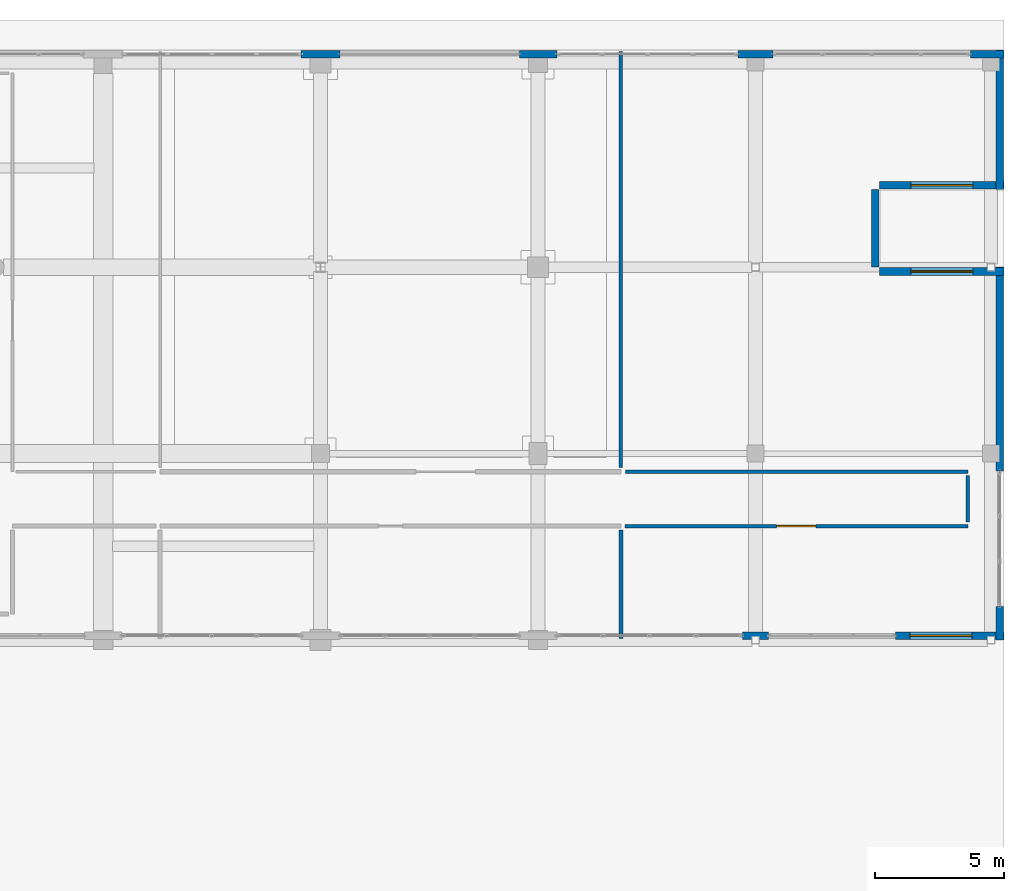
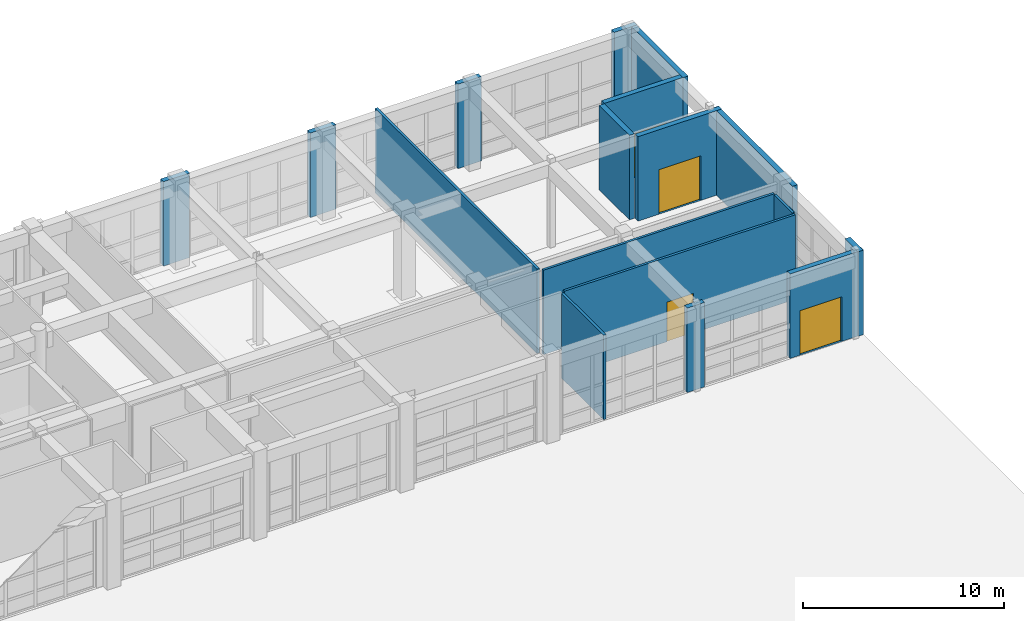
# One storey, part 135 of 148: 17 walls, 4 doors, 4 openings.
"""IFC4 building model written with IfcOpenShell, lengths in metres."""

from ifc_helpers import new_model, si_unit, direction, frame, frame_2d, origin, place, context, subcontext, project, spatial, rectangle, extrude, material, layer, layer_set, type_object, element, fill, save


model = new_model("IFC4")

# Units and contexts
model_context = context("Model", 3, precision=1e-05, world=origin(), true_north=direction((0.0, 1.0)))
body_context = subcontext(model_context, "Body", "Model", "MODEL_VIEW")
ifc_project = project(units=[si_unit("LENGTHUNIT", "METRE"), si_unit("AREAUNIT", "SQUARE_METRE"), si_unit("VOLUMEUNIT", "CUBIC_METRE"), si_unit("PLANEANGLEUNIT", "RADIAN"), si_unit("MASSUNIT", "GRAM", prefix="KILO")], contexts=[model_context])

# Site, building, storey
site_placement = place(None, origin())
site = spatial("IfcSite", under=ifc_project, at=site_placement, CompositionType="ELEMENT")
building_placement = place(site_placement, origin())
building = spatial("IfcBuilding", under=site, at=building_placement, Name="Quendrovan Civic Courthouse", CompositionType="ELEMENT")
storey_placement = place(building_placement, origin())
storey = spatial("IfcBuildingStorey", under=building, at=storey_placement, Name="L01", CompositionType="ELEMENT", Elevation=0.0)

# Wall
ifc_material_1 = material(Name="Acoustic gypsum stud partition")
ifc_layer_1 = layer(ifc_material_1, 0.139892578125, Name="Acoustic gypsum stud partition")
ifc_layer_set_1 = layer_set([ifc_layer_1], Name="Acoustic gypsum stud partition")
wall_type_1 = type_object("IfcWallType", Name="WL-CHM-140", PredefinedType="PARTITIONING", material=ifc_layer_set_1)
wall_1_placement = place(storey_placement, frame((146.0, 94.27001953125, 0.0), z_axis=(0.0, 0.0, 1.0), x_axis=(0.0, 1.0, 0.0)))
element("IfcWall", 1, at=wall_1_placement, inside=storey, type_object=wall_type_1, Name="L01 Robing Hall Partition 0175", PredefinedType="PARTITIONING", context=body_context, shape_type="SweptSolid", body=[
    extrude(rectangle(XDim=16.070068359375, YDim=0.139892578125, at=frame_2d((8.03515625, 0.0))), origin(), (0.0, 0.0, 1.0), 5.1201171875),
])

# Wall, opening, door
wall_2_placement = place(storey_placement, frame((146.155029296875, 92.0, 0.0), z_axis=(0.0, 0.0, 1.0), x_axis=(1.0, 0.0, 0.0)))
wall_2 = element("IfcWall", 2, at=wall_2_placement, inside=storey, type_object=wall_type_1, Name="L01 Robing Hall Partition 0186", PredefinedType="PARTITIONING", context=body_context, shape_type="SweptSolid", body=[
    extrude(rectangle(XDim=13.244873046875, YDim=0.139892578125, at=frame_2d((6.62255859375, 0.0))), origin(), (0.0, 0.0, 1.0), 5.1201171875),
])
opening_1_placement = place(wall_2_placement, frame((5.862548828125, 0.0, 0.0)))
opening_1 = element("IfcOpeningElement", 3, at=opening_1_placement, cuts=wall_2, Name="Opening D-L01-037", PredefinedType="OPENING", context=body_context, shape_type="SweptSolid", body=[
    extrude(rectangle(XDim=1.52001953125, YDim=2.39990234375, at=frame_2d((0.760009765625, 1.199951171875))), frame((0.0, 0.080078125, 0.0), z_axis=(0.0, -1.0, 0.0), x_axis=(1.0, 0.0, 0.0)), (0.0, 0.0, 1.0), 0.159912109375),
])
ifc_material_2 = material(Name="Acoustic timber double-leaf door", Category="wood")
door_type_1 = type_object("IfcDoorType", Name="DR-CONF-1520", OperationType="NOTDEFINED", PredefinedType="DOOR", material=ifc_material_2)
door_1_placement = place(opening_1_placement, origin())
door_1 = element("IfcDoor", 4, at=door_1_placement, inside=storey, type_object=door_type_1, Name="L01 Robing Hall Door D-L01-037", OperationType="SINGLE_SWING_RIGHT", OverallHeight=2.39990234375, OverallWidth=1.52001953125, PredefinedType="DOOR", context=body_context, shape_type="SweptSolid", body=[
    extrude(rectangle(XDim=1.52001953125, YDim=2.39990234375, at=frame_2d((0.760009765625, 1.199951171875))), frame((0.0, 0.02490234375, 0.0), z_axis=(0.0, -1.0, 0.0), x_axis=(1.0, 0.0, 0.0)), (0.0, 0.0, 1.0), 0.050048828125),
])
fill(opening_1, door_1)

# Walls
wall_3_placement = place(storey_placement, frame((159.39990234375, 94.10009765625, 0.0), z_axis=(0.0, 0.0, 1.0), x_axis=(-1.0, 0.0, 0.0)))
element("IfcWall", 5, at=wall_3_placement, inside=storey, type_object=wall_type_1, Name="L01 Robing Hall Partition 0187", PredefinedType="PARTITIONING", context=body_context, shape_type="SweptSolid", body=[
    extrude(rectangle(XDim=13.22998046875, YDim=0.139892578125, at=frame_2d((6.614990234375, 0.0))), origin(), (0.0, 0.0, 1.0), 5.1201171875),
])
wall_4_placement = place(storey_placement, frame((159.39990234375, 92.14990234375, 0.0), z_axis=(0.0, 0.0, 1.0), x_axis=(0.0, 1.0, 0.0)))
element("IfcWall", 6, at=wall_4_placement, inside=storey, type_object=wall_type_1, Name="L01 Robing Hall Partition 0275", PredefinedType="PARTITIONING", context=body_context, shape_type="SweptSolid", body=[
    extrude(rectangle(XDim=1.800048828125, YDim=0.139892578125, at=frame_2d((0.89990234375, 0.0))), origin(), (0.0, 0.0, 1.0), 5.1201171875),
])
ifc_material_3 = material(Name="Precast concrete C45/55", Category="concrete")
ifc_layer_2 = layer(ifc_material_3, 0.2900390625, Name="Precast concrete C45/55")
ifc_layer_set_2 = layer_set([ifc_layer_2], Name="Precast concrete C45/55")
wall_type_2 = type_object("IfcWallType", Name="WL-EXT-PC290", PredefinedType="SOLIDWALL", material=ifc_layer_set_2)
wall_5_placement = place(storey_placement, frame((133.64990234375, 110.235107421875, 0.0), z_axis=(0.0, 0.0, 1.0), x_axis=(1.0, 0.0, 0.0)))
element("IfcWall", 7, at=wall_5_placement, inside=storey, type_object=wall_type_2, Name="L01 Exterior Pier Wall 117", PredefinedType="SOLIDWALL", context=body_context, shape_type="SweptSolid", body=[
    extrude(rectangle(XDim=1.5, YDim=0.2900390625, at=frame_2d((0.75, 0.0))), origin(), (0.0, 0.0, 1.0), 5.1201171875),
])
wall_6_placement = place(storey_placement, frame((142.074951171875, 110.235107421875, 0.0), z_axis=(0.0, 0.0, 1.0), x_axis=(1.0, 0.0, 0.0)))
element("IfcWall", 8, at=wall_6_placement, inside=storey, type_object=wall_type_2, Name="L01 Exterior Pier Wall 118", PredefinedType="SOLIDWALL", context=body_context, shape_type="SweptSolid", body=[
    extrude(rectangle(XDim=1.449951171875, YDim=0.2900390625, at=frame_2d((0.72509765625, 0.0))), origin(), (0.0, 0.0, 1.0), 5.1201171875),
])
wall_7_placement = place(storey_placement, frame((150.52490234375, 110.235107421875, 0.0), z_axis=(0.0, 0.0, 1.0), x_axis=(1.0, 0.0, 0.0)))
element("IfcWall", 9, at=wall_7_placement, inside=storey, type_object=wall_type_2, Name="L01 Exterior Pier Wall 119", PredefinedType="SOLIDWALL", context=body_context, shape_type="SweptSolid", body=[
    extrude(rectangle(XDim=1.35009765625, YDim=0.2900390625, at=frame_2d((0.675048828125, 0.0))), origin(), (0.0, 0.0, 1.0), 5.1201171875),
])
wall_8_placement = place(storey_placement, frame((159.5, 110.235107421875, 0.0), z_axis=(0.0, 0.0, 1.0), x_axis=(1.0, 0.0, 0.0)))
element("IfcWall", 10, at=wall_8_placement, inside=storey, type_object=wall_type_2, Name="L01 Exterior Pier Wall 120", PredefinedType="SOLIDWALL", context=body_context, shape_type="SweptSolid", body=[
    extrude(rectangle(XDim=1.300048828125, YDim=0.2900390625, at=frame_2d((0.64990234375, 0.0))), origin(), (0.0, 0.0, 1.0), 5.1201171875),
])
wall_9_placement = place(storey_placement, frame((160.635009765625, 110.39990234375, 0.0), z_axis=(0.0, 0.0, 1.0), x_axis=(0.0, -1.0, 0.0)))
element("IfcWall", 11, at=wall_9_placement, inside=storey, type_object=wall_type_2, Name="L01 Exterior Civic Portal Wall 121", PredefinedType="SOLIDWALL", context=body_context, shape_type="SweptSolid", body=[
    extrude(rectangle(XDim=5.39990234375, YDim=0.2900390625, at=frame_2d((2.699951171875, 0.0))), origin(), (0.0, 0.0, 1.0), 5.1201171875),
])

# Wall, opening, door
wall_10_placement = place(storey_placement, frame((160.800048828125, 105.1650390625, 0.0), z_axis=(0.0, 0.0, 1.0), x_axis=(-1.0, 0.0, 0.0)))
wall_10 = element("IfcWall", 12, at=wall_10_placement, inside=storey, type_object=wall_type_2, Name="L01 Exterior Civic Portal Wall 122", PredefinedType="SOLIDWALL", context=body_context, shape_type="SweptSolid", body=[
    extrude(rectangle(XDim=4.800048828125, YDim=0.2900390625, at=frame_2d((2.39990234375, 0.0))), origin(), (0.0, 0.0, 1.0), 5.1201171875),
])
opening_2_placement = place(wall_10_placement, frame((1.199951171875, 0.0, 0.0)))
opening_2 = element("IfcOpeningElement", 13, at=opening_2_placement, cuts=wall_10, Name="Opening DE-17", PredefinedType="OPENING", context=body_context, shape_type="SweptSolid", body=[
    extrude(rectangle(XDim=2.39990234375, YDim=2.699951171875, at=frame_2d((1.199951171875, 1.35009765625))), frame((0.0, 0.155029296875, 0.0), z_axis=(0.0, -1.0, 0.0), x_axis=(1.0, 0.0, 0.0)), (0.0, 0.0, 1.0), 0.31005859375),
])
ifc_material_4 = material(Name="Bronze anodised aluminium and low-E glass", Category="aluminium")
door_type_2 = type_object("IfcDoorType", Name="DR-EXT-MAIN-2400", OperationType="NOTDEFINED", PredefinedType="DOOR", material=ifc_material_4)
door_2_placement = place(opening_2_placement, origin())
door_2 = element("IfcDoor", 14, at=door_2_placement, inside=storey, type_object=door_type_2, Name="L01 Courtyard Civic Exit Door DE-17", OperationType="SINGLE_SWING_LEFT", OverallHeight=2.699951171875, OverallWidth=2.39990234375, PredefinedType="DOOR", context=body_context, shape_type="SweptSolid", body=[
    extrude(rectangle(XDim=2.39990234375, YDim=2.699951171875, at=frame_2d((1.199951171875, 1.35009765625))), frame((0.0, 0.02490234375, 0.0), z_axis=(0.0, -1.0, 0.0), x_axis=(1.0, 0.0, 0.0)), (0.0, 0.0, 1.0), 0.050048828125),
])
fill(opening_2, door_2)

# Wall
wall_11_placement = place(storey_placement, frame((155.8349609375, 105.0, 0.0), z_axis=(0.0, 0.0, 1.0), x_axis=(0.0, -1.0, 0.0)))
element("IfcWall", 15, at=wall_11_placement, inside=storey, type_object=wall_type_2, Name="L01 Exterior Civic Portal Wall 123", PredefinedType="SOLIDWALL", context=body_context, shape_type="SweptSolid", body=[
    extrude(rectangle(XDim=3.0, YDim=0.2900390625, at=frame_2d((1.5, 0.0))), origin(), (0.0, 0.0, 1.0), 5.1201171875),
])

# Wall, opening, door
wall_12_placement = place(storey_placement, frame((156.0, 101.8349609375, 0.0), z_axis=(0.0, 0.0, 1.0), x_axis=(1.0, 0.0, 0.0)))
wall_12 = element("IfcWall", 16, at=wall_12_placement, inside=storey, type_object=wall_type_2, Name="L01 Exterior Civic Portal Wall 124", PredefinedType="SOLIDWALL", context=body_context, shape_type="SweptSolid", body=[
    extrude(rectangle(XDim=4.800048828125, YDim=0.2900390625, at=frame_2d((2.39990234375, 0.0))), origin(), (0.0, 0.0, 1.0), 5.1201171875),
])
opening_3_placement = place(wall_12_placement, frame((1.199951171875, 0.0, 0.0)))
opening_3 = element("IfcOpeningElement", 17, at=opening_3_placement, cuts=wall_12, Name="Opening DE-18", PredefinedType="OPENING", context=body_context, shape_type="SweptSolid", body=[
    extrude(rectangle(XDim=2.39990234375, YDim=2.699951171875, at=frame_2d((1.199951171875, 1.35009765625))), frame((0.0, 0.155029296875, 0.0), z_axis=(0.0, -1.0, 0.0), x_axis=(1.0, 0.0, 0.0)), (0.0, 0.0, 1.0), 0.31005859375),
])
door_3_placement = place(opening_3_placement, origin())
door_3 = element("IfcDoor", 18, at=door_3_placement, inside=storey, type_object=door_type_2, Name="L01 Courtyard Civic Exit Door DE-18", OperationType="SINGLE_SWING_LEFT", OverallHeight=2.699951171875, OverallWidth=2.39990234375, PredefinedType="DOOR", context=body_context, shape_type="SweptSolid", body=[
    extrude(rectangle(XDim=2.39990234375, YDim=2.699951171875, at=frame_2d((1.199951171875, 1.35009765625))), frame((0.0, 0.02490234375, 0.0), z_axis=(0.0, -1.0, 0.0), x_axis=(1.0, 0.0, 0.0)), (0.0, 0.0, 1.0), 0.050048828125),
])
fill(opening_3, door_3)

# Walls
wall_13_placement = place(storey_placement, frame((160.635009765625, 102.0, 0.0), z_axis=(0.0, 0.0, 1.0), x_axis=(0.0, -1.0, 0.0)))
element("IfcWall", 19, at=wall_13_placement, inside=storey, type_object=wall_type_2, Name="L01 Exterior Pier Wall 125", PredefinedType="SOLIDWALL", context=body_context, shape_type="SweptSolid", body=[
    extrude(rectangle(XDim=7.875, YDim=0.2900390625, at=frame_2d((3.9375, 0.0))), origin(), (0.0, 0.0, 1.0), 5.1201171875),
])
wall_14_placement = place(storey_placement, frame((160.635009765625, 88.89990234375, 0.0), z_axis=(0.0, 0.0, 1.0), x_axis=(0.0, -1.0, 0.0)))
element("IfcWall", 20, at=wall_14_placement, inside=storey, type_object=wall_type_2, Name="L01 Exterior Pier Wall 126", PredefinedType="SOLIDWALL", context=body_context, shape_type="SweptSolid", body=[
    extrude(rectangle(XDim=1.2998046875, YDim=0.2900390625, at=frame_2d((0.64990234375, 0.0))), origin(), (0.0, 0.0, 1.0), 5.1201171875),
])

# Wall, opening, door
wall_15_placement = place(storey_placement, frame((160.800048828125, 87.764892578125, 0.0), z_axis=(0.0, 0.0, 1.0), x_axis=(-1.0, 0.0, 0.0)))
wall_15 = element("IfcWall", 21, at=wall_15_placement, inside=storey, type_object=wall_type_2, Name="L01 Exterior Pier Wall 127", PredefinedType="SOLIDWALL", context=body_context, shape_type="SweptSolid", body=[
    extrude(rectangle(XDim=4.199951171875, YDim=0.2900390625, at=frame_2d((2.10009765625, 0.0))), origin(), (0.0, 0.0, 1.0), 5.1201171875),
])
opening_4_placement = place(wall_15_placement, frame((1.236083984375, 0.0, 0.0)))
opening_4 = element("IfcOpeningElement", 22, at=opening_4_placement, cuts=wall_15, Name="Opening DE-19", PredefinedType="OPENING", context=body_context, shape_type="SweptSolid", body=[
    extrude(rectangle(XDim=2.39990234375, YDim=2.699951171875, at=frame_2d((1.199951171875, 1.35009765625))), frame((0.0, 0.155029296875, 0.0), z_axis=(0.0, -1.0, 0.0), x_axis=(1.0, 0.0, 0.0)), (0.0, 0.0, 1.0), 0.31005859375),
])
door_4_placement = place(opening_4_placement, origin())
door_4 = element("IfcDoor", 23, at=door_4_placement, inside=storey, type_object=door_type_2, Name="L01 Courtyard Civic Exit Door DE-19", OperationType="SINGLE_SWING_LEFT", OverallHeight=2.699951171875, OverallWidth=2.39990234375, PredefinedType="DOOR", context=body_context, shape_type="SweptSolid", body=[
    extrude(rectangle(XDim=2.39990234375, YDim=2.699951171875, at=frame_2d((1.199951171875, 1.35009765625))), frame((0.0, 0.02490234375, 0.0), z_axis=(0.0, -1.0, 0.0), x_axis=(1.0, 0.0, 0.0)), (0.0, 0.0, 1.0), 0.050048828125),
])
fill(opening_4, door_4)

# Walls
wall_16_placement = place(storey_placement, frame((151.699951171875, 87.764892578125, 0.0), z_axis=(0.0, 0.0, 1.0), x_axis=(-1.0, 0.0, 0.0)))
element("IfcWall", 24, at=wall_16_placement, inside=storey, type_object=wall_type_2, Name="L01 Exterior Pier Wall 128", PredefinedType="SOLIDWALL", context=body_context, shape_type="SweptSolid", body=[
    extrude(rectangle(XDim=1.0, YDim=0.2900390625, at=frame_2d((0.5, 0.0))), origin(), (0.0, 0.0, 1.0), 5.1201171875),
])
ifc_layer_3 = layer(ifc_material_1, 0.14990234375, Name="Acoustic gypsum stud partition")
ifc_layer_set_3 = layer_set([ifc_layer_3], Name="Acoustic gypsum stud partition")
wall_type_3 = type_object("IfcWallType", Name="WL-JURY-150", PredefinedType="PARTITIONING", material=ifc_layer_set_3)
wall_17_placement = place(storey_placement, frame((146.0, 91.844970703125, 0.0), z_axis=(0.0, 0.0, 1.0), x_axis=(0.0, -1.0, 0.0)))
element("IfcWall", 25, at=wall_17_placement, inside=storey, type_object=wall_type_3, Name="L01 Press Room Partition 0235", PredefinedType="PARTITIONING", context=body_context, shape_type="SweptSolid", body=[
    extrude(rectangle(XDim=4.18505859375, YDim=0.14990234375, at=frame_2d((2.092529296875, 0.0))), origin(), (0.0, 0.0, 1.0), 5.1201171875),
])

save(model, "model.ifc")
